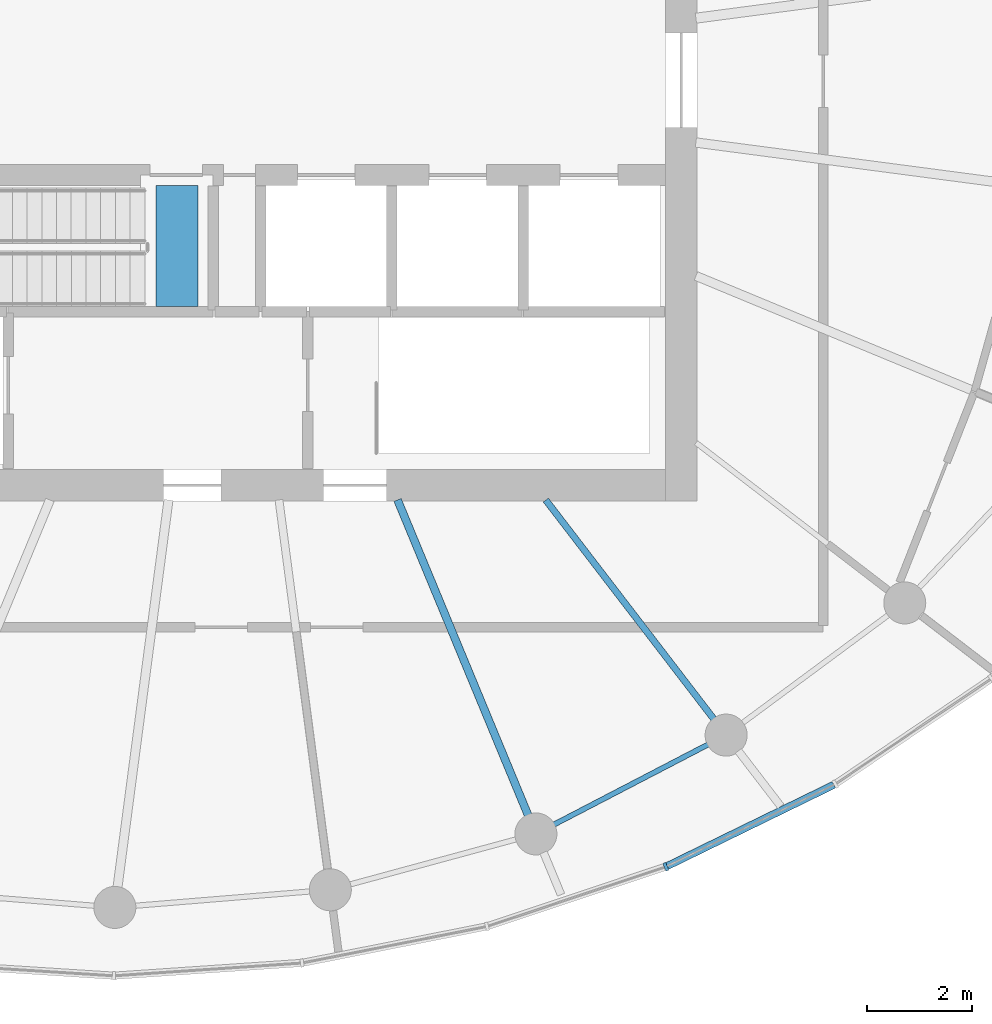
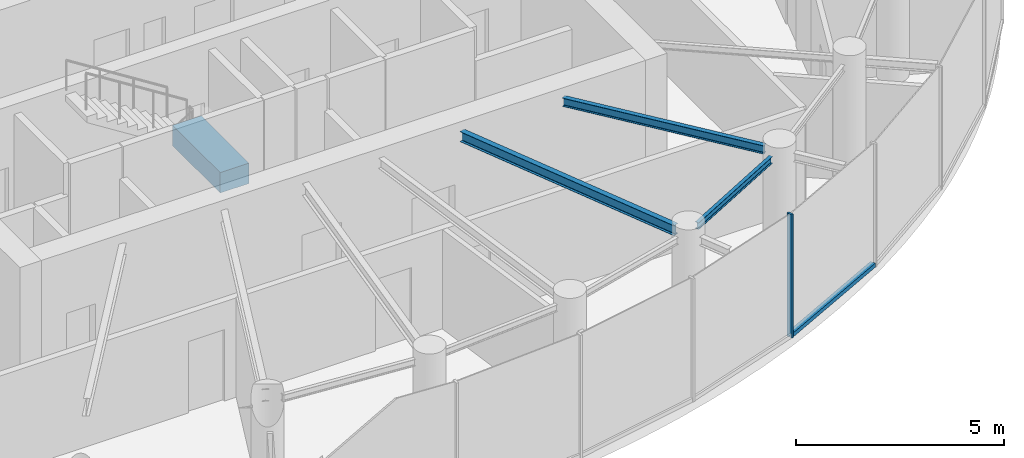
# One storey, part 3 of 13: 4 beams, 2 members, 1 element without a shape of its own.
"""IFC4 building model written with IfcOpenShell, lengths in metres."""

from ifc_helpers import new_model, si_unit, direction, frame, origin, origin_2d, place, context, subcontext, project, spatial, rectangle, i_section, extrude, source, transform, mapped, material, layer, layer_set, material_profile, profile_set, type_object, element, aggregate, save


model = new_model("IFC4")

# Units and contexts
model_context = context("Model", 3, precision=1e-05, world=origin(), true_north=direction((0.0, 1.0)))
body_context = subcontext(model_context, "Body", "Model", "MODEL_VIEW")
ifc_project = project(units=[si_unit("LENGTHUNIT", "METRE"), si_unit("AREAUNIT", "SQUARE_METRE"), si_unit("VOLUMEUNIT", "CUBIC_METRE"), si_unit("PLANEANGLEUNIT", "RADIAN"), si_unit("MASSUNIT", "GRAM", prefix="KILO")], contexts=[model_context])

# Site, building, storey
site_placement = place(None, origin())
site = spatial("IfcSite", under=ifc_project, at=site_placement, CompositionType="ELEMENT")
building_placement = place(site_placement, origin())
building = spatial("IfcBuilding", under=site, at=building_placement, Name="Spindrift Exchange Tower", CompositionType="ELEMENT")
storey_placement = place(building_placement, frame((0.0, 0.0, 265.699951171875)))
storey = spatial("IfcBuildingStorey", under=building, at=storey_placement, Name="L65", CompositionType="ELEMENT", Elevation=265.699951171875)

# Beams
ifc_material_1 = material(Name="Steel Grade 300", Category="steel")
ifc_material_profile_1 = material_profile(ifc_material_1, i_section(OverallWidth=0.14892578125, OverallDepth=0.298095703125, WebThickness=0.005615234375, FlangeThickness=0.008056640625, FilletRadius=0.012939453125, at=origin_2d()), Name="310UB32.0")
ifc_profile_set_1 = profile_set([ifc_material_profile_1], Name="Steel Grade 300")
beam_type_1 = type_object("IfcBeamType", Name="Floor Beam 310UB32.0 Steel Grade 300", PredefinedType="BEAM", material=ifc_profile_set_1)
shared_shape_1 = source(origin(), body_context, "Body", "SweptSolid", [
    extrude(i_section(OverallWidth=0.14892578125, OverallDepth=0.298095703125, WebThickness=0.005615234375, FlangeThickness=0.008056640625, FilletRadius=0.012939453125, at=origin_2d()), origin(), (0.0, 0.0, 1.0), 6.495849609375),
])
beam_1_placement = place(storey_placement, frame((55.30615234375, 40.0185546875, 3.470947265625), z_axis=(0.382677087308, -0.923882160695, 0.0), x_axis=(0.923882160695, 0.382677087308, 0.0)))
element("IfcBeam", 1, at=beam_1_placement, inside=storey, type_object=beam_type_1, Name="L65 radial beam R20A", PredefinedType="BEAM", context=body_context, shape_type="MappedRepresentation", body=[
    mapped(shared_shape_1, transform((0.0, 0.0, 0.0), scale=1.0)),
])
ifc_material_profile_2 = material_profile(ifc_material_1, i_section(OverallWidth=0.1240234375, OverallDepth=0.248046875, WebThickness=0.0048828125, FlangeThickness=0.008056640625, FilletRadius=0.011962890625, at=origin_2d()), Name="250UB25.7")
ifc_profile_set_2 = profile_set([ifc_material_profile_2], Name="Steel Grade 300")
beam_type_2 = type_object("IfcBeamType", Name="Floor Beam 250UB25.7 Steel Grade 300", PredefinedType="BEAM", material=ifc_profile_set_2)
shared_shape_2 = source(origin(), body_context, "Body", "SweptSolid", [
    extrude(i_section(OverallWidth=0.1240234375, OverallDepth=0.248046875, WebThickness=0.0048828125, FlangeThickness=0.008056640625, FilletRadius=0.011962890625, at=origin_2d()), origin(), (0.0, 0.0, 1.0), 5.25341796875),
])
beam_2_placement = place(storey_placement, frame((58.12646484375, 40.015869140625, 3.49609375), z_axis=(0.608760287872, -0.793354215915, 0.0), x_axis=(0.793354215915, 0.608760287872, 0.0)))
element("IfcBeam", 2, at=beam_2_placement, inside=storey, type_object=beam_type_2, Name="L65 radial beam R21A", PredefinedType="BEAM", context=body_context, shape_type="MappedRepresentation", body=[
    mapped(shared_shape_2, transform((0.0, 0.0, 0.0), scale=1.0)),
])
ifc_material_profile_3 = material_profile(ifc_material_1, i_section(OverallWidth=0.09912109375, OverallDepth=0.197998046875, WebThickness=0.00439453125, FlangeThickness=0.007080078125, FilletRadius=0.010986328125, at=origin_2d()), Name="200UB18.2")
ifc_profile_set_3 = profile_set([ifc_material_profile_3], Name="Steel Grade 300")
beam_type_3 = type_object("IfcBeamType", Name="Edge Beam 200UB18.2 Steel Grade 300", PredefinedType="SPANDREL", material=ifc_profile_set_3)
shared_shape_3 = source(origin(), body_context, "Body", "SweptSolid", [
    extrude(i_section(OverallWidth=0.09912109375, OverallDepth=0.197998046875, WebThickness=0.00439453125, FlangeThickness=0.007080078125, FilletRadius=0.010986328125, at=origin_2d()), origin(), (0.0, 0.0, 1.0), 3.31787109375),
])
beam_3_placement = place(storey_placement, frame((58.2744140625, 33.84130859375, 3.52099609375), z_axis=(0.887327612278, 0.46113957593, 0.0), x_axis=(-0.46113957593, 0.887327612278, 0.0)))
element("IfcBeam", 3, at=beam_3_placement, inside=storey, type_object=beam_type_3, Name="L65 edge beam E20", PredefinedType="SPANDREL", context=body_context, shape_type="MappedRepresentation", body=[
    mapped(shared_shape_3, transform((0.0, 0.0, 0.0), scale=1.0)),
])

# Curtain wall, members
ifc_material_2 = material(Name="Fritted laminated glass with bronze frame", Category="glass")
ifc_layer = layer(ifc_material_2, 0.159912109375)
ifc_layer_set = layer_set([ifc_layer], Name="ZONE 5 BRONZE FRITTED WALL")
curtain_wall_type = type_object("IfcCurtainWallType", Name="ZONE 5 BRONZE FRITTED WALL", PredefinedType="NOTDEFINED", material=ifc_layer_set)
curtain_wall_placement = place(storey_placement, origin())
curtain_wall = element("IfcCurtainWall", 4, at=curtain_wall_placement, inside=storey, type_object=curtain_wall_type, Name="L65 Zone 5 Bronze Fritted Wall run 5", PredefinedType="NOTDEFINED")
ifc_material_3 = material(Name="Bronze anodised aluminium", Category="aluminium")
ifc_material_profile_4 = material_profile(ifc_material_3, rectangle(XDim=0.139892578125, YDim=0.1201171875, at=origin_2d()), Name="ZONE 5 BRONZE FRITTED WALL TRANSOM 140X120")
ifc_profile_set_4 = profile_set([ifc_material_profile_4], Name="Bronze anodised aluminium")
member_type_1 = type_object("IfcMemberType", Name="ZONE 5 BRONZE FRITTED WALL TRANSOM 140X120", PredefinedType="USERDEFINED", material=ifc_profile_set_4)
shared_shape_4 = source(origin(), body_context, "Body", "SweptSolid", [
    extrude(rectangle(XDim=0.139892578125, YDim=0.1201171875, at=origin_2d()), origin(), (0.0, 0.0, 1.0), 3.526123046875),
])
member_1_placement = place(storey_placement, frame((60.435791015625, 33.0556640625, 0.06005859375), z_axis=(0.898841629931, 0.438273572444, 0.0), x_axis=(-0.438273572444, 0.898841629931, 0.0)))
member_1 = element("IfcMember", 5, at=member_1_placement, type_object=member_type_1, Name="L65 transom CW-5.28", ObjectType="TRANSOM", PredefinedType="USERDEFINED", context=body_context, shape_type="MappedRepresentation", body=[
    mapped(shared_shape_4, transform((0.0, 0.0, 0.0), scale=1.0)),
])
ifc_material_profile_5 = material_profile(ifc_material_3, rectangle(XDim=0.06005859375, YDim=0.159912109375, at=origin_2d()), Name="ZONE 5 BRONZE FRITTED WALL MULLION 60X160")
ifc_profile_set_5 = profile_set([ifc_material_profile_5], Name="Bronze anodised aluminium")
member_type_2 = type_object("IfcMemberType", Name="ZONE 5 BRONZE FRITTED WALL MULLION 60X160", PredefinedType="MULLION", material=ifc_profile_set_5)
shared_shape_5 = source(origin(), body_context, "Body", "SweptSolid", [
    extrude(rectangle(XDim=0.06005859375, YDim=0.159912109375, at=origin_2d()), origin(), (0.0, 0.0, 1.0), 3.6201171875),
])
member_2_placement = place(storey_placement, frame((60.408935546875, 33.04248046875, 0.0), z_axis=(0.0, 0.0, 1.0), x_axis=(0.925689623896, 0.378283914821, 0.0)))
member_2 = element("IfcMember", 6, at=member_2_placement, type_object=member_type_2, Name="L65 mullion CW-5.28", PredefinedType="MULLION", context=body_context, shape_type="MappedRepresentation", body=[
    mapped(shared_shape_5, transform((0.0, 0.0, 0.0), scale=1.0)),
])
aggregate(curtain_wall, [member_2, member_1])

# Beam
ifc_material_4 = material(Name="Concrete 40 MPa", Category="concrete")
ifc_material_profile_6 = material_profile(ifc_material_4, rectangle(XDim=0.800048828125, YDim=0.60009765625, at=origin_2d()), Name="RC 800x600")
ifc_profile_set_6 = profile_set([ifc_material_profile_6], Name="Concrete 40 MPa")
beam_type_4 = type_object("IfcBeamType", Name="RC Landing Beam 800x600 Concrete 40 MPa", PredefinedType="BEAM", material=ifc_profile_set_6)
shared_shape_6 = source(origin(), body_context, "Body", "SweptSolid", [
    extrude(rectangle(XDim=0.800048828125, YDim=0.60009765625, at=origin_2d()), origin(), (0.0, 0.0, 1.0), 2.299072265625),
])
beam_4_placement = place(storey_placement, frame((51.110107421875, 43.700439453125, 1.449951171875), z_axis=(0.0, 1.0, 0.0), x_axis=(-1.0, 0.0, 0.0)))
element("IfcBeam", 7, at=beam_4_placement, inside=storey, type_object=beam_type_4, Name="ST4 landing beam L65", PredefinedType="BEAM", context=body_context, shape_type="MappedRepresentation", body=[
    mapped(shared_shape_6, transform((0.0, 0.0, 0.0), scale=1.0)),
])

save(model, "model.ifc")
